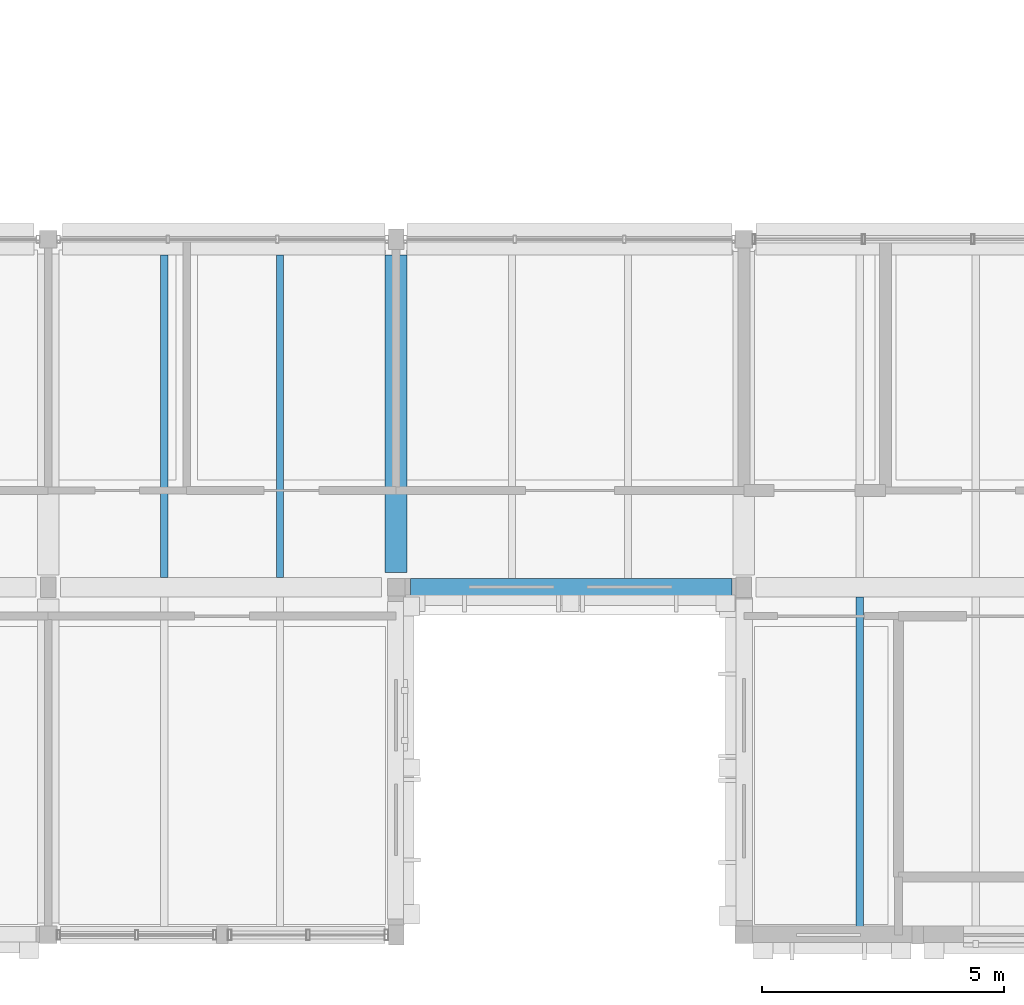
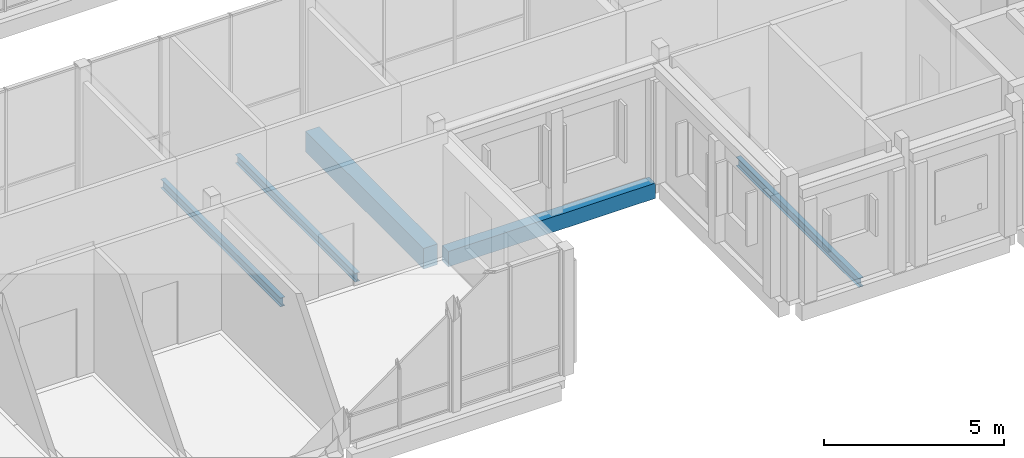
# One storey, part 29 of 146: 5 beams.
"""IFC4 building model written with IfcOpenShell, lengths in metres."""

import ifcopenshell
import ifcopenshell.guid

model = None  # the IFC model being written
_history = None  # IfcOwnerHistory: only IFC2X3 demands one
_inside = {}  # id of a spatial element -> (the spatial element, [elements in it])
_under = {}  # id of a project, library or spatial element -> (it, [spatial elements below it])
_declared = {}  # id of a project -> (the project, [libraries it declares])
_typed = {}  # id of a type object -> (the type object, [elements of that type])
_made_of = {}  # id of a material, layer set ... -> (it, [elements and type objects made of it])


def new_model(schema):
    """Start an empty IFC model of exactly this schema.

    Asked for "IFC4X3", IfcOpenShell would pick the latest addendum, in which some entities
    have other attributes; the version numbers below select the first issue.
    IFC2X3 requires an IfcOwnerHistory on every rooted entity: one is made here for all.
    """
    global model, _history
    if schema == "IFC4X3":
        model = ifcopenshell.file(schema_version=(4, 3, 0, 0))
    else:
        model = ifcopenshell.file(schema=schema)
    _inside.clear()
    _under.clear()
    _declared.clear()
    _typed.clear()
    _made_of.clear()
    _history = None
    if model.schema == "IFC2X3":
        org = make("IfcOrganization", Name="unknown")
        user = make(
            "IfcPersonAndOrganization",
            ThePerson=make("IfcPerson", FamilyName="unknown"),
            TheOrganization=org,
        )
        app = make(
            "IfcApplication",
            ApplicationDeveloper=org,
            Version="unknown",
            ApplicationFullName="unknown",
            ApplicationIdentifier="unknown",
        )
        _history = make(
            "IfcOwnerHistory",
            OwningUser=user,
            OwningApplication=app,
            ChangeAction="ADDED",
            CreationDate=0,
        )
    return model


def make(cls, **values):
    """One entity of the class cls with the attributes given. An attribute that is None is left unset."""
    return model.create_entity(
        cls, **{name: value for name, value in values.items() if value is not None}
    )


def rooted(cls, **values):
    """An entity with a GlobalId (a new one), such as an element, a storey or a relation."""
    return make(cls, GlobalId=ifcopenshell.guid.new(), OwnerHistory=_history, **values)


def si_unit(unit_type, name, prefix=None):
    """IfcSIUnit, for example si_unit("LENGTHUNIT", "METRE", prefix="MILLI")."""
    return make("IfcSIUnit", UnitType=unit_type, Prefix=prefix, Name=name)


def assignment(units):
    """IfcUnitAssignment: the units of a project."""
    return None if units is None else make("IfcUnitAssignment", Units=units)


def point(xyz):
    """IfcCartesianPoint."""
    return None if xyz is None else make("IfcCartesianPoint", Coordinates=xyz)


def direction(xyz):
    """IfcDirection."""
    return None if xyz is None else make("IfcDirection", DirectionRatios=xyz)


def frame(location, z_axis=None, x_axis=None):
    """IfcAxis2Placement3D, a coordinate frame: its origin and axes. An axis left out is left unset."""
    return make(
        "IfcAxis2Placement3D",
        Location=point(location),
        Axis=direction(z_axis),
        RefDirection=direction(x_axis),
    )


def frame_2d(location, x_axis=None):
    """IfcAxis2Placement2D, a coordinate frame in the plane: its origin and x axis."""
    return make(
        "IfcAxis2Placement2D", Location=point(location), RefDirection=direction(x_axis)
    )


def origin():
    """The frame at (0, 0, 0) with its axes left unset."""
    return frame((0.0, 0.0, 0.0))


def origin_2d():
    """The frame at (0, 0) in the plane with its x axis left unset."""
    return frame_2d((0.0, 0.0))


def place(relative_to, where):
    """IfcLocalPlacement: puts the frame where relative to a parent placement (None: the world)."""
    return make(
        "IfcLocalPlacement", PlacementRelTo=relative_to, RelativePlacement=where
    )


def context(
    kind, dimensions, precision=None, world=None, true_north=None, identifier=None
):
    """IfcGeometricRepresentationContext, for example the 3D "Model" context."""
    return make(
        "IfcGeometricRepresentationContext",
        ContextIdentifier=identifier,
        ContextType=kind,
        CoordinateSpaceDimension=dimensions,
        Precision=precision,
        WorldCoordinateSystem=world,
        TrueNorth=true_north,
    )


def subcontext(parent, identifier, kind, view, scale=None):
    """IfcGeometricRepresentationSubContext, for example "Body" below "Model"."""
    return make(
        "IfcGeometricRepresentationSubContext",
        ContextIdentifier=identifier,
        ContextType=kind,
        ParentContext=parent,
        TargetScale=scale,
        TargetView=view,
    )


def project(units=None, contexts=None):
    """IfcProject with its units and contexts."""
    return rooted(
        "IfcProject",
        Name="project",
        RepresentationContexts=contexts,
        UnitsInContext=assignment(units),
    )


def spatial(cls, under=None, at=None, **own):
    """A site, building, storey or space (cls), placed at a placement, below another one or the project."""
    s = rooted(cls, ObjectPlacement=at, **own)
    if under is not None:
        _under.setdefault(under.id(), (under, []))[1].append(s)
    return s


def profile(cls, at=None, kind="AREA", **sizes):
    """A parametric profile (cls). Its sizes go by their IFC names, for example OverallWidth=200.0."""
    return make(cls, ProfileType=kind, Position=at, **sizes)


def rectangle(**sizes):
    """IfcRectangleProfileDef."""
    return profile("IfcRectangleProfileDef", **sizes)


def i_section(**sizes):
    """IfcIShapeProfileDef."""
    return profile("IfcIShapeProfileDef", **sizes)


def extrude(swept, where, along, depth):
    """IfcExtrudedAreaSolid: the profile swept, set in the frame where, extruded along a direction by depth."""
    return make(
        "IfcExtrudedAreaSolid",
        SweptArea=swept,
        Position=where,
        ExtrudedDirection=direction(along),
        Depth=depth,
    )


def shape(context_of_items, identifier, shape_type, items):
    """IfcShapeRepresentation: the items that make up one representation, for example the "Body"."""
    return make(
        "IfcShapeRepresentation",
        ContextOfItems=context_of_items,
        RepresentationIdentifier=identifier,
        RepresentationType=shape_type,
        Items=items,
    )


def material(Name=None, Category=None):
    """IfcMaterial."""
    return make("IfcMaterial", Name=Name, Category=Category)


def material_profile(
    of_material, cross_section, Name=None, Category=None, Priority=None
):
    """IfcMaterialProfile: a cross section and its material."""
    return make(
        "IfcMaterialProfile",
        Name=Name,
        Material=of_material,
        Profile=cross_section,
        Priority=Priority,
        Category=Category,
    )


def profile_set(profiles, Name=None, composite=None):
    """IfcMaterialProfileSet."""
    return make(
        "IfcMaterialProfileSet",
        Name=Name,
        MaterialProfiles=profiles,
        CompositeProfile=composite,
    )


def made_of(thing, what):
    """Note that an element or type object is made of a material, layer set ...; save() writes the relation."""
    if what is not None:
        _made_of.setdefault(what.id(), (what, []))[1].append(thing)
    return thing


def type_object(cls, material=None, **own):
    """A type object (cls), such as IfcWallType, which elements share."""
    return made_of(rooted(cls, **own), material)


def element(
    cls,
    number,
    at=None,
    inside=None,
    cuts=None,
    type_object=None,
    material=None,
    context=None,
    identifier="Body",
    shape_type=None,
    held_by="IfcProductDefinitionShape",
    body=None,
    shapes=None,
    **own,
):
    """One element of the class cls, such as IfcWall. Its Tag is "e" and its number.

    at: its placement. inside: the storey or other place that contains it. cuts: it is an
    opening in that element (IfcRelVoidsElement). A single representation is given by context,
    identifier, shape_type and body (its items); several are given by shapes. held_by: the class
    of the entity that holds the representations. save() writes the other relations.
    """
    e = rooted(cls, Tag="e%d" % number, ObjectPlacement=at, **own)
    if body is not None:
        shapes = [shape(context, identifier, shape_type, body)]
    if shapes is not None:
        e.Representation = make(held_by, Representations=shapes)
    if inside is not None:
        _inside.setdefault(inside.id(), (inside, []))[1].append(e)
    if cuts is not None:
        rooted(
            "IfcRelVoidsElement", RelatingBuildingElement=cuts, RelatedOpeningElement=e
        )
    if type_object is not None:
        _typed.setdefault(type_object.id(), (type_object, []))[1].append(e)
    return made_of(e, material)


def aggregate(whole, parts):
    """IfcRelAggregates: a whole, such as a stair, and the parts it consists of."""
    return rooted("IfcRelAggregates", RelatingObject=whole, RelatedObjects=parts)


def save(model, path):
    """Write the relations noted so far, then the file.

    IfcRelAggregates (storeys below a building ...), IfcRelContainedInSpatialStructure (elements
    in a storey), IfcRelDefinesByType, IfcRelAssociatesMaterial and IfcRelDeclares: one each for
    every whole, place, type object, material and project.
    """
    for whole, parts in _under.values():
        aggregate(whole, parts)
    for where, things in _inside.values():
        rooted(
            "IfcRelContainedInSpatialStructure",
            RelatedElements=things,
            RelatingStructure=where,
        )
    for kind, things in _typed.values():
        rooted("IfcRelDefinesByType", RelatedObjects=things, RelatingType=kind)
    for what, things in _made_of.values():
        rooted("IfcRelAssociatesMaterial", RelatedObjects=things, RelatingMaterial=what)
    for by, libraries in _declared.values():
        rooted("IfcRelDeclares", RelatingContext=by, RelatedDefinitions=libraries)
    model.write(path)


model = new_model("IFC4")

# Units and contexts
model_context = context("Model", 3, precision=1e-05, world=origin(), true_north=direction((0.0, 1.0)))
body_context = subcontext(model_context, "Body", "Model", "MODEL_VIEW")
ifc_project = project(units=[si_unit("LENGTHUNIT", "METRE"), si_unit("AREAUNIT", "SQUARE_METRE"), si_unit("VOLUMEUNIT", "CUBIC_METRE"), si_unit("PLANEANGLEUNIT", "RADIAN"), si_unit("MASSUNIT", "GRAM", prefix="KILO")], contexts=[model_context])

# Site, building, storey
site_placement = place(None, origin())
site = spatial("IfcSite", under=ifc_project, at=site_placement, CompositionType="ELEMENT")
building_placement = place(site_placement, origin())
building = spatial("IfcBuilding", under=site, at=building_placement, Name="Hawrajan Terrace Health Centre", CompositionType="ELEMENT")
storey_placement = place(building_placement, frame((0.0, 0.0, 4.5)))
storey = spatial("IfcBuildingStorey", under=building, at=storey_placement, Name="L01", CompositionType="ELEMENT", Elevation=4.5)

# Beams
ifc_material_1 = material(Name="Concrete C40/50", Category="concrete")
ifc_material_profile_1 = material_profile(ifc_material_1, rectangle(XDim=0.449951171875, YDim=0.699951171875, at=origin_2d()), Name="RC BM 450x700")
ifc_profile_set_1 = profile_set([ifc_material_profile_1], Name="Concrete C40/50")
beam_type_1 = type_object("IfcBeamType", Name="RCGirder_450x700", PredefinedType="BEAM", material=ifc_profile_set_1)
beam_1_placement = place(storey_placement, frame((40.60009765625, 11.699951171875, -0.64990234375), z_axis=(0.0, 1.0, 0.0), x_axis=(-1.0, 0.0, 0.0)))
element("IfcBeam", 1, at=beam_1_placement, inside=storey, type_object=beam_type_1, Name="Beam BM-Y-L01-W-X06-2", PredefinedType="BEAM", context=body_context, shape_type="SweptSolid", body=[
    extrude(rectangle(XDim=0.449951171875, YDim=0.699951171875, at=origin_2d()), origin(), (0.0, 0.0, 1.0), 6.574951171875),
])
ifc_material_profile_2 = material_profile(ifc_material_1, rectangle(XDim=0.35009765625, YDim=0.52001953125, at=origin_2d()), Name="RC SP 350x520")
ifc_profile_set_2 = profile_set([ifc_material_profile_2], Name="Concrete C40/50")
beam_type_2 = type_object("IfcBeamType", Name="RCSpandrel_350x520", PredefinedType="SPANDREL", material=ifc_profile_set_2)
beam_2_placement = place(storey_placement, frame((40.89990234375, 11.39990234375, -0.56005859375), z_axis=(1.0, 0.0, 0.0), x_axis=(0.0, 1.0, 0.0)))
element("IfcBeam", 2, at=beam_2_placement, inside=storey, type_object=beam_type_2, Name="Beam BM-X-L01-W-06-Y2", PredefinedType="SPANDREL", context=body_context, shape_type="SweptSolid", body=[
    extrude(rectangle(XDim=0.35009765625, YDim=0.52001953125, at=origin_2d()), origin(), (0.0, 0.0, 1.0), 6.650146484375),
])
ifc_material_2 = material(Name="Steel S355", Category="steel")
ifc_material_profile_3 = material_profile(ifc_material_2, i_section(OverallWidth=0.14990234375, OverallDepth=0.300048828125, WebThickness=0.007080078125, FlangeThickness=0.0107421875, FilletRadius=0.014892578125, at=origin_2d()), Name="IPE 300")
ifc_profile_set_3 = profile_set([ifc_material_profile_3], Name="Steel S355")
beam_type_3 = type_object("IfcBeamType", Name="SteelBeam_IPE300", PredefinedType="JOIST", material=ifc_profile_set_3)
for number, where, z_axis, x_axis, name in (
    (3, (35.800048828125, 11.60009765625, -0.449951171875), (0.0, 1.0, 0.0), (-1.0, 0.0, 0.0), "Secondary joist JST-L01-W-05-2-1"),
    (4, (38.199951171875, 11.60009765625, -0.449951171875), (0.0, 1.0, 0.0), (-1.0, 0.0, 0.0), "Secondary joist JST-L01-W-05-2-2"),
):
    element("IfcBeam", number, at=place(storey_placement, frame(where, z_axis=z_axis, x_axis=x_axis)), inside=storey, type_object=beam_type_3, Name=name, PredefinedType="JOIST", context=body_context, shape_type="SweptSolid", body=[
        extrude(i_section(OverallWidth=0.14990234375, OverallDepth=0.300048828125, WebThickness=0.007080078125, FlangeThickness=0.0107421875, FilletRadius=0.014892578125, at=origin_2d()), origin(), (0.0, 0.0, 1.0), 6.6748046875),
    ])
beam_3_placement = place(storey_placement, frame((50.199951171875, 4.375, -0.449951171875), z_axis=(0.0, 1.0, 0.0), x_axis=(-1.0, 0.0, 0.0)))
element("IfcBeam", 5, at=beam_3_placement, inside=storey, type_object=beam_type_3, Name="Secondary joist JST-L01-W-07-1-1", PredefinedType="JOIST", context=body_context, shape_type="SweptSolid", body=[
    extrude(i_section(OverallWidth=0.14990234375, OverallDepth=0.300048828125, WebThickness=0.007080078125, FlangeThickness=0.0107421875, FilletRadius=0.014892578125, at=origin_2d()), origin(), (0.0, 0.0, 1.0), 6.824951171875),
])

save(model, "model.ifc")
